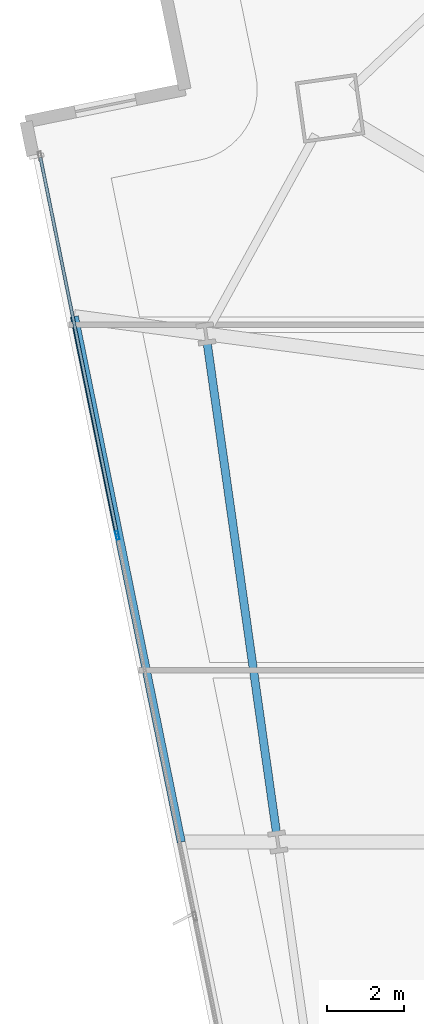
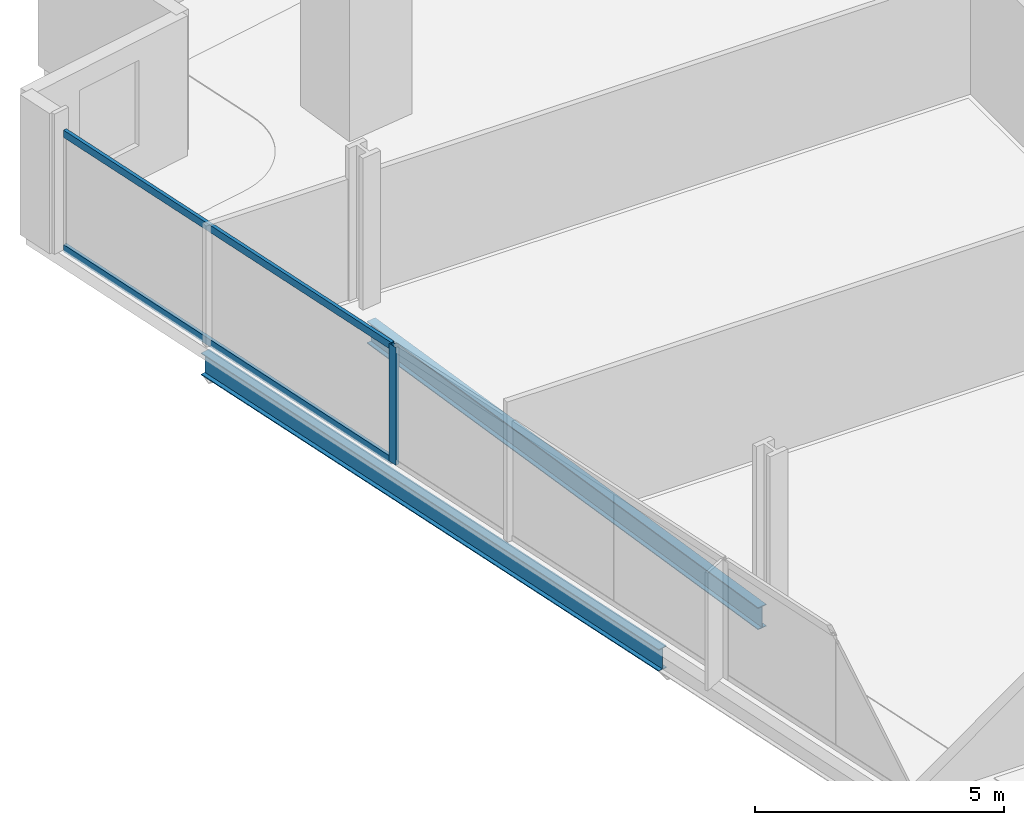
# One storey, part 13 of 33: 3 members, 2 beams, 1 element without a shape of its own.
"""IFC4 building model written with IfcOpenShell, lengths in metres."""

from ifc_helpers import new_model, si_unit, direction, frame, origin, origin_2d, place, context, subcontext, project, spatial, hollow_rectangle, i_section, extrude, material, material_profile, profile_set, type_object, element, aggregate, save


model = new_model("IFC4")

# Units and contexts
model_context = context("Model", 3, precision=1e-05, world=origin(), true_north=direction((0.0, 1.0)))
body_context = subcontext(model_context, "Body", "Model", "MODEL_VIEW")
ifc_project = project(units=[si_unit("LENGTHUNIT", "METRE"), si_unit("AREAUNIT", "SQUARE_METRE"), si_unit("VOLUMEUNIT", "CUBIC_METRE"), si_unit("PLANEANGLEUNIT", "RADIAN"), si_unit("MASSUNIT", "GRAM", prefix="KILO")], contexts=[model_context])

# Site, building, storey
site_placement = place(None, origin())
site = spatial("IfcSite", under=ifc_project, at=site_placement, CompositionType="ELEMENT")
building_placement = place(site_placement, origin())
building = spatial("IfcBuilding", under=site, at=building_placement, Name="Haldenkirk Collegiate Tower", CompositionType="ELEMENT")
storey_placement = place(building_placement, frame((0.0, 0.0, 66.449951171875)))
storey = spatial("IfcBuildingStorey", under=building, at=storey_placement, Name="L15", CompositionType="ELEMENT", Elevation=66.449951171875)

# Beams
ifc_material_1 = material(Name="Steel ASTM A992 Grade 50", Category="steel")
ifc_material_profile_1 = material_profile(ifc_material_1, i_section(OverallWidth=0.2119140625, OverallDepth=0.5439453125, WebThickness=0.01318359375, FlangeThickness=0.021240234375, at=origin_2d()), Name="W21X83")
ifc_profile_set_1 = profile_set([ifc_material_profile_1], Name="Steel ASTM A992 Grade 50")
beam_type = type_object("IfcBeamType", Name="BM-SPANDREL-W21X83", PredefinedType="SPANDREL", material=ifc_profile_set_1)
beam_1_placement = place(storey_placement, frame((10.30322265625, 35.951171875, -0.58203125), z_axis=(0.140049989419, -0.990144434143, 0.0), x_axis=(0.990144434143, 0.140049989419, 0.0)))
element("IfcBeam", 1, at=beam_1_placement, inside=storey, type_object=beam_type, Name="L15 perimeter spandrel beam 14", PredefinedType="SPANDREL", context=body_context, shape_type="SweptSolid", body=[
    extrude(i_section(OverallWidth=0.2119140625, OverallDepth=0.5439453125, WebThickness=0.01318359375, FlangeThickness=0.021240234375, at=origin_2d()), origin(), (0.0, 0.0, 1.0), 12.76220703125),
])
beam_2_placement = place(storey_placement, frame((6.85888671875, 36.66357421875, -0.58203125), z_axis=(0.199380386848, -0.979922171063, 0.0), x_axis=(0.979922171063, 0.199380386848, 0.0)))
element("IfcBeam", 2, at=beam_2_placement, inside=storey, type_object=beam_type, Name="L15 outer facade edge beam 4A", PredefinedType="SPANDREL", context=body_context, shape_type="SweptSolid", body=[
    extrude(i_section(OverallWidth=0.2119140625, OverallDepth=0.5439453125, WebThickness=0.01318359375, FlangeThickness=0.021240234375, at=origin_2d()), origin(), (0.0, 0.0, 1.0), 13.889404296875),
])

# Curtain wall, members
ifc_material_2 = material(Name="Anodised architectural bronze aluminium", Category="aluminium")
curtain_wall_type = type_object("IfcCurtainWallType", Name="CW-SYS1-CONVEX-LOW", PredefinedType="USERDEFINED", material=ifc_material_2)
curtain_wall_placement = place(storey_placement, origin())
curtain_wall = element("IfcCurtainWall", 3, at=curtain_wall_placement, inside=storey, type_object=curtain_wall_type, Name="L15 Lower tower convex bronze-framed unitised curtain wall", ObjectType="UNITISED CURTAIN WALL", PredefinedType="USERDEFINED")
ifc_material_profile_2 = material_profile(ifc_material_2, hollow_rectangle(XDim=0.080078125, YDim=0.219970703125, WallThickness=0.0048828125, at=origin_2d()), Name="CW-MUL-1A")
ifc_profile_set_2 = profile_set([ifc_material_profile_2], Name="Anodised architectural bronze aluminium")
member_type_1 = type_object("IfcMemberType", Name="CW-MUL-1A", PredefinedType="MULLION", material=ifc_profile_set_2)
member_1_placement = place(storey_placement, frame((7.9716796875, 30.99365234375, 0.0), z_axis=(0.0, 0.0, 1.0), x_axis=(-0.979924462932, -0.199369122351, 0.0)))
member_1 = element("IfcMember", 4, at=member_1_placement, type_object=member_type_1, Name="CW-1A mullion 4", PredefinedType="MULLION", context=body_context, shape_type="SweptSolid", body=[
    extrude(hollow_rectangle(XDim=0.080078125, YDim=0.219970703125, WallThickness=0.0048828125, at=origin_2d()), origin(), (0.0, 0.0, 1.0), 2.89111328125),
])
ifc_material_profile_3 = material_profile(ifc_material_2, hollow_rectangle(XDim=0.080078125, YDim=0.179931640625, WallThickness=0.0048828125, at=origin_2d()), Name="CW-TRN-1A")
ifc_profile_set_3 = profile_set([ifc_material_profile_3], Name="Anodised architectural bronze aluminium")
member_type_2 = type_object("IfcMemberType", Name="CW-TRN-1A", PredefinedType="USERDEFINED", material=ifc_profile_set_3)
member_2_placement = place(storey_placement, frame((7.9638671875, 31.03271484375, 0.0400390625), z_axis=(-0.199361873148, 0.979925937781, 0.0), x_axis=(-0.979925937781, -0.199361873148, 0.0)))
member_2 = element("IfcMember", 5, at=member_2_placement, type_object=member_type_2, Name="CW-1A transom 4.1", ObjectType="TRANSOM", PredefinedType="USERDEFINED", context=body_context, shape_type="SweptSolid", body=[
    extrude(hollow_rectangle(XDim=0.080078125, YDim=0.179931640625, WallThickness=0.0048828125, at=origin_2d()), origin(), (0.0, 0.0, 1.0), 9.94873046875),
])
member_3_placement = place(storey_placement, frame((7.9638671875, 31.03271484375, 2.85107421875), z_axis=(-0.199361873148, 0.979925937781, 0.0), x_axis=(-0.979925937781, -0.199361873148, 0.0)))
member_3 = element("IfcMember", 6, at=member_3_placement, type_object=member_type_2, Name="CW-1A transom 4.2", ObjectType="TRANSOM", PredefinedType="USERDEFINED", context=body_context, shape_type="SweptSolid", body=[
    extrude(hollow_rectangle(XDim=0.080078125, YDim=0.179931640625, WallThickness=0.0048828125, at=origin_2d()), origin(), (0.0, 0.0, 1.0), 9.94873046875),
])
aggregate(curtain_wall, [member_1, member_2, member_3])

save(model, "model.ifc")
